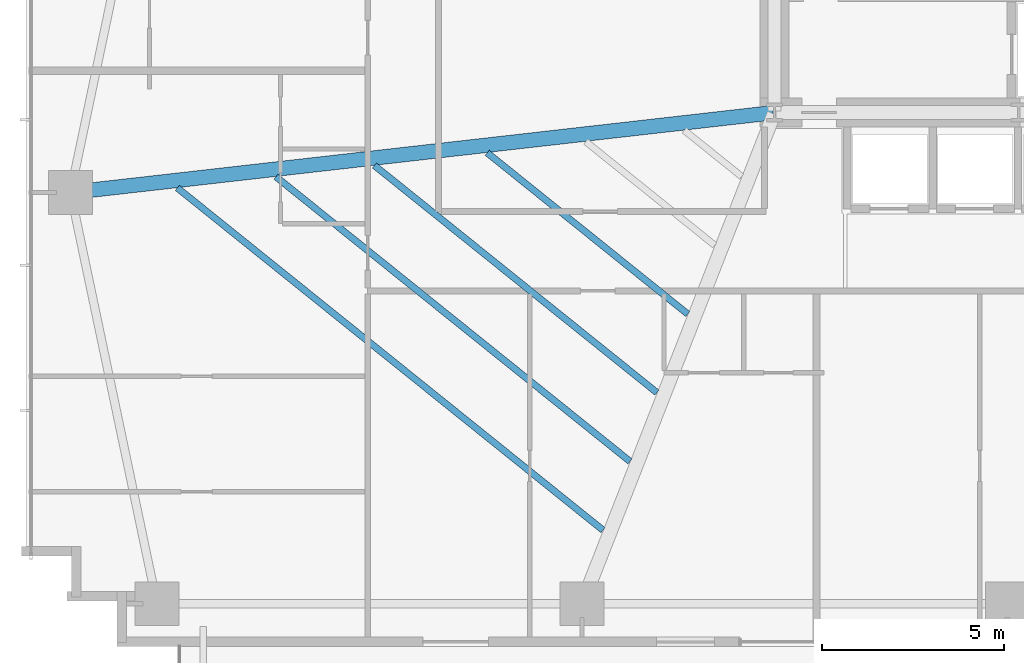
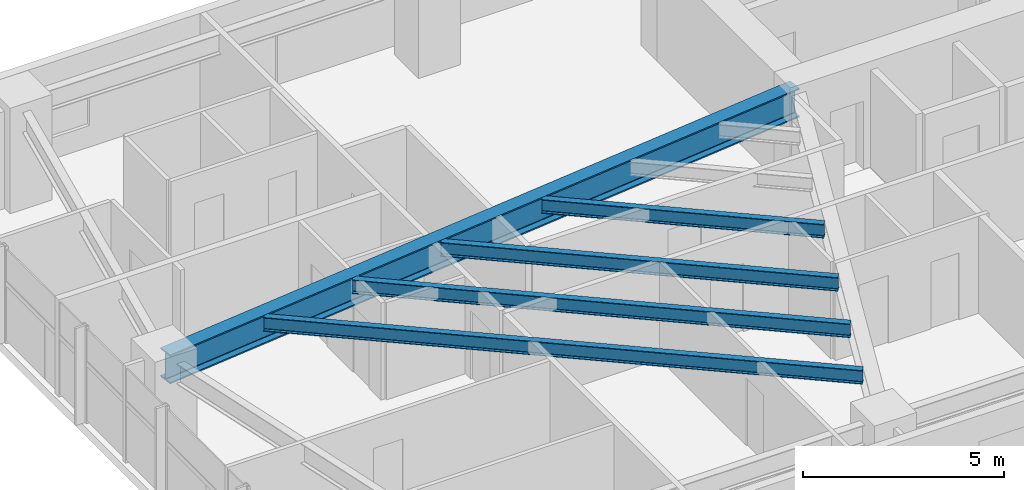
# One storey, part 5 of 25: 5 beams.
"""IFC4 building model written with IfcOpenShell, lengths in metres."""

import ifcopenshell
import ifcopenshell.guid

model = None  # the IFC model being written
_history = None  # IfcOwnerHistory: only IFC2X3 demands one
_inside = {}  # id of a spatial element -> (the spatial element, [elements in it])
_under = {}  # id of a project, library or spatial element -> (it, [spatial elements below it])
_declared = {}  # id of a project -> (the project, [libraries it declares])
_typed = {}  # id of a type object -> (the type object, [elements of that type])
_made_of = {}  # id of a material, layer set ... -> (it, [elements and type objects made of it])


def new_model(schema):
    """Start an empty IFC model of exactly this schema.

    Asked for "IFC4X3", IfcOpenShell would pick the latest addendum, in which some entities
    have other attributes; the version numbers below select the first issue.
    IFC2X3 requires an IfcOwnerHistory on every rooted entity: one is made here for all.
    """
    global model, _history
    if schema == "IFC4X3":
        model = ifcopenshell.file(schema_version=(4, 3, 0, 0))
    else:
        model = ifcopenshell.file(schema=schema)
    _inside.clear()
    _under.clear()
    _declared.clear()
    _typed.clear()
    _made_of.clear()
    _history = None
    if model.schema == "IFC2X3":
        org = make("IfcOrganization", Name="unknown")
        user = make(
            "IfcPersonAndOrganization",
            ThePerson=make("IfcPerson", FamilyName="unknown"),
            TheOrganization=org,
        )
        app = make(
            "IfcApplication",
            ApplicationDeveloper=org,
            Version="unknown",
            ApplicationFullName="unknown",
            ApplicationIdentifier="unknown",
        )
        _history = make(
            "IfcOwnerHistory",
            OwningUser=user,
            OwningApplication=app,
            ChangeAction="ADDED",
            CreationDate=0,
        )
    return model


def make(cls, **values):
    """One entity of the class cls with the attributes given. An attribute that is None is left unset."""
    return model.create_entity(
        cls, **{name: value for name, value in values.items() if value is not None}
    )


def rooted(cls, **values):
    """An entity with a GlobalId (a new one), such as an element, a storey or a relation."""
    return make(cls, GlobalId=ifcopenshell.guid.new(), OwnerHistory=_history, **values)


def si_unit(unit_type, name, prefix=None):
    """IfcSIUnit, for example si_unit("LENGTHUNIT", "METRE", prefix="MILLI")."""
    return make("IfcSIUnit", UnitType=unit_type, Prefix=prefix, Name=name)


def assignment(units):
    """IfcUnitAssignment: the units of a project."""
    return None if units is None else make("IfcUnitAssignment", Units=units)


def point(xyz):
    """IfcCartesianPoint."""
    return None if xyz is None else make("IfcCartesianPoint", Coordinates=xyz)


def direction(xyz):
    """IfcDirection."""
    return None if xyz is None else make("IfcDirection", DirectionRatios=xyz)


def frame(location, z_axis=None, x_axis=None):
    """IfcAxis2Placement3D, a coordinate frame: its origin and axes. An axis left out is left unset."""
    return make(
        "IfcAxis2Placement3D",
        Location=point(location),
        Axis=direction(z_axis),
        RefDirection=direction(x_axis),
    )


def frame_2d(location, x_axis=None):
    """IfcAxis2Placement2D, a coordinate frame in the plane: its origin and x axis."""
    return make(
        "IfcAxis2Placement2D", Location=point(location), RefDirection=direction(x_axis)
    )


def origin():
    """The frame at (0, 0, 0) with its axes left unset."""
    return frame((0.0, 0.0, 0.0))


def origin_2d():
    """The frame at (0, 0) in the plane with its x axis left unset."""
    return frame_2d((0.0, 0.0))


def place(relative_to, where):
    """IfcLocalPlacement: puts the frame where relative to a parent placement (None: the world)."""
    return make(
        "IfcLocalPlacement", PlacementRelTo=relative_to, RelativePlacement=where
    )


def context(
    kind, dimensions, precision=None, world=None, true_north=None, identifier=None
):
    """IfcGeometricRepresentationContext, for example the 3D "Model" context."""
    return make(
        "IfcGeometricRepresentationContext",
        ContextIdentifier=identifier,
        ContextType=kind,
        CoordinateSpaceDimension=dimensions,
        Precision=precision,
        WorldCoordinateSystem=world,
        TrueNorth=true_north,
    )


def subcontext(parent, identifier, kind, view, scale=None):
    """IfcGeometricRepresentationSubContext, for example "Body" below "Model"."""
    return make(
        "IfcGeometricRepresentationSubContext",
        ContextIdentifier=identifier,
        ContextType=kind,
        ParentContext=parent,
        TargetScale=scale,
        TargetView=view,
    )


def project(units=None, contexts=None):
    """IfcProject with its units and contexts."""
    return rooted(
        "IfcProject",
        Name="project",
        RepresentationContexts=contexts,
        UnitsInContext=assignment(units),
    )


def spatial(cls, under=None, at=None, **own):
    """A site, building, storey or space (cls), placed at a placement, below another one or the project."""
    s = rooted(cls, ObjectPlacement=at, **own)
    if under is not None:
        _under.setdefault(under.id(), (under, []))[1].append(s)
    return s


def profile(cls, at=None, kind="AREA", **sizes):
    """A parametric profile (cls). Its sizes go by their IFC names, for example OverallWidth=200.0."""
    return make(cls, ProfileType=kind, Position=at, **sizes)


def i_section(**sizes):
    """IfcIShapeProfileDef."""
    return profile("IfcIShapeProfileDef", **sizes)


def extrude(swept, where, along, depth):
    """IfcExtrudedAreaSolid: the profile swept, set in the frame where, extruded along a direction by depth."""
    return make(
        "IfcExtrudedAreaSolid",
        SweptArea=swept,
        Position=where,
        ExtrudedDirection=direction(along),
        Depth=depth,
    )


def shape(context_of_items, identifier, shape_type, items):
    """IfcShapeRepresentation: the items that make up one representation, for example the "Body"."""
    return make(
        "IfcShapeRepresentation",
        ContextOfItems=context_of_items,
        RepresentationIdentifier=identifier,
        RepresentationType=shape_type,
        Items=items,
    )


def source(mapping_origin, context_of_items, identifier, shape_type, items):
    """IfcRepresentationMap: a shape defined once, which mapped items show again and again."""
    return make(
        "IfcRepresentationMap",
        MappingOrigin=mapping_origin,
        MappedRepresentation=shape(context_of_items, identifier, shape_type, items),
    )


def transform(
    local_origin,
    x_axis=None,
    y_axis=None,
    z_axis=None,
    scale=None,
    scale2=None,
    scale3=None,
    uniform=True,
):
    """IfcCartesianTransformationOperator3D, or its non-uniform kind. x_axis, y_axis, z_axis: its Axis1, 2, 3."""
    if uniform:
        return make(
            "IfcCartesianTransformationOperator3D",
            Axis1=direction(x_axis),
            Axis2=direction(y_axis),
            LocalOrigin=point(local_origin),
            Scale=scale,
            Axis3=direction(z_axis),
        )
    return make(
        "IfcCartesianTransformationOperator3DnonUniform",
        Axis1=direction(x_axis),
        Axis2=direction(y_axis),
        LocalOrigin=point(local_origin),
        Scale=scale,
        Axis3=direction(z_axis),
        Scale2=scale2,
        Scale3=scale3,
    )


def mapped(mapping_source, mapping_target):
    """IfcMappedItem: shows the shape of a source again, moved by a transform."""
    return make(
        "IfcMappedItem", MappingSource=mapping_source, MappingTarget=mapping_target
    )


def material(Name=None, Category=None):
    """IfcMaterial."""
    return make("IfcMaterial", Name=Name, Category=Category)


def material_profile(
    of_material, cross_section, Name=None, Category=None, Priority=None
):
    """IfcMaterialProfile: a cross section and its material."""
    return make(
        "IfcMaterialProfile",
        Name=Name,
        Material=of_material,
        Profile=cross_section,
        Priority=Priority,
        Category=Category,
    )


def profile_set(profiles, Name=None, composite=None):
    """IfcMaterialProfileSet."""
    return make(
        "IfcMaterialProfileSet",
        Name=Name,
        MaterialProfiles=profiles,
        CompositeProfile=composite,
    )


def made_of(thing, what):
    """Note that an element or type object is made of a material, layer set ...; save() writes the relation."""
    if what is not None:
        _made_of.setdefault(what.id(), (what, []))[1].append(thing)
    return thing


def type_object(cls, material=None, **own):
    """A type object (cls), such as IfcWallType, which elements share."""
    return made_of(rooted(cls, **own), material)


def type_shapes(of_type, sources):
    """Give a type object the sources (RepresentationMaps) that its elements show as mapped items."""
    of_type.RepresentationMaps = sources


def element(
    cls,
    number,
    at=None,
    inside=None,
    cuts=None,
    type_object=None,
    material=None,
    context=None,
    identifier="Body",
    shape_type=None,
    held_by="IfcProductDefinitionShape",
    body=None,
    shapes=None,
    **own,
):
    """One element of the class cls, such as IfcWall. Its Tag is "e" and its number.

    at: its placement. inside: the storey or other place that contains it. cuts: it is an
    opening in that element (IfcRelVoidsElement). A single representation is given by context,
    identifier, shape_type and body (its items); several are given by shapes. held_by: the class
    of the entity that holds the representations. save() writes the other relations.
    """
    e = rooted(cls, Tag="e%d" % number, ObjectPlacement=at, **own)
    if body is not None:
        shapes = [shape(context, identifier, shape_type, body)]
    if shapes is not None:
        e.Representation = make(held_by, Representations=shapes)
    if inside is not None:
        _inside.setdefault(inside.id(), (inside, []))[1].append(e)
    if cuts is not None:
        rooted(
            "IfcRelVoidsElement", RelatingBuildingElement=cuts, RelatedOpeningElement=e
        )
    if type_object is not None:
        _typed.setdefault(type_object.id(), (type_object, []))[1].append(e)
    return made_of(e, material)


def aggregate(whole, parts):
    """IfcRelAggregates: a whole, such as a stair, and the parts it consists of."""
    return rooted("IfcRelAggregates", RelatingObject=whole, RelatedObjects=parts)


def save(model, path):
    """Write the relations noted so far, then the file.

    IfcRelAggregates (storeys below a building ...), IfcRelContainedInSpatialStructure (elements
    in a storey), IfcRelDefinesByType, IfcRelAssociatesMaterial and IfcRelDeclares: one each for
    every whole, place, type object, material and project.
    """
    for whole, parts in _under.values():
        aggregate(whole, parts)
    for where, things in _inside.values():
        rooted(
            "IfcRelContainedInSpatialStructure",
            RelatedElements=things,
            RelatingStructure=where,
        )
    for kind, things in _typed.values():
        rooted("IfcRelDefinesByType", RelatedObjects=things, RelatingType=kind)
    for what, things in _made_of.values():
        rooted("IfcRelAssociatesMaterial", RelatedObjects=things, RelatingMaterial=what)
    for by, libraries in _declared.values():
        rooted("IfcRelDeclares", RelatingContext=by, RelatedDefinitions=libraries)
    model.write(path)


model = new_model("IFC4")

# Units and contexts
model_context = context("Model", 3, precision=1e-05, world=origin(), true_north=direction((0.0, 1.0)))
body_context = subcontext(model_context, "Body", "Model", "MODEL_VIEW")
ifc_project = project(units=[si_unit("LENGTHUNIT", "METRE"), si_unit("AREAUNIT", "SQUARE_METRE"), si_unit("VOLUMEUNIT", "CUBIC_METRE"), si_unit("PLANEANGLEUNIT", "RADIAN"), si_unit("MASSUNIT", "GRAM", prefix="KILO")], contexts=[model_context])

# Site, building, storey
site_placement = place(None, origin())
site = spatial("IfcSite", under=ifc_project, at=site_placement, CompositionType="ELEMENT")
building_placement = place(site_placement, origin())
building = spatial("IfcBuilding", under=site, at=building_placement, Name="Astriad Promenade Condominiums", CompositionType="ELEMENT")
storey_placement = place(building_placement, frame((0.0, 0.0, 61.39990234375)))
storey = spatial("IfcBuildingStorey", under=building, at=storey_placement, Name="L17", CompositionType="ELEMENT", Elevation=61.39990234375)

# Beams
ifc_material = material(Name="Steel ASTM A992 Grade 50", Category="steel")
ifc_material_profile_1 = material_profile(ifc_material, i_section(OverallWidth=0.4013671875, OverallDepth=0.877197265625, WebThickness=0.022216796875, FlangeThickness=0.039794921875, FilletRadius=0.02294921875, at=origin_2d()), Name="W33X263")
ifc_profile_set_1 = profile_set([ifc_material_profile_1], Name="Steel ASTM A992 Grade 50")
beam_type_1 = type_object("IfcBeamType", Name="STEEL PRIMARY GIRDER W33X263", PredefinedType="BEAM", material=ifc_profile_set_1)
shared_shape_1 = source(origin(), body_context, "Body", "SweptSolid", [
    extrude(i_section(OverallWidth=0.4013671875, OverallDepth=0.877197265625, WebThickness=0.022216796875, FlangeThickness=0.039794921875, FilletRadius=0.02294921875, at=origin_2d()), origin(), (0.0, 0.0, 1.0), 19.424560546875),
])
type_shapes(beam_type_1, [shared_shape_1])
beam_1_placement = place(storey_placement, frame((7.059814453125, 15.20458984375, 2.501708984375), z_axis=(0.993618675315, 0.11279152479, 0.0), x_axis=(-0.11279152479, 0.993618675315, 0.0)))
element("IfcBeam", 1, at=beam_1_placement, inside=storey, type_object=beam_type_1, Name="Primary Floor Girder PG-WM-L17", PredefinedType="BEAM", context=body_context, shape_type="MappedRepresentation", body=[
    mapped(shared_shape_1, transform((0.0, 0.0, 0.0), scale=1.0)),
])
ifc_material_profile_2 = material_profile(ifc_material, i_section(OverallWidth=0.180908203125, OverallDepth=0.417236328125, WebThickness=0.010986328125, FlangeThickness=0.018310546875, FilletRadius=0.013916015625, at=origin_2d()), Name="W16X57")
ifc_profile_set_2 = profile_set([ifc_material_profile_2], Name="Steel ASTM A992 Grade 50")
beam_type_2 = type_object("IfcBeamType", Name="STEEL FLOOR JOIST W16X57", PredefinedType="JOIST", material=ifc_profile_set_2)
shared_shape_2 = source(origin(), body_context, "Body", "SweptSolid", [
    extrude(i_section(OverallWidth=0.180908203125, OverallDepth=0.417236328125, WebThickness=0.010986328125, FlangeThickness=0.018310546875, FilletRadius=0.013916015625, at=origin_2d()), origin(), (0.0, 0.0, 1.0), 15.033447265625),
])
beam_2_placement = place(storey_placement, frame((9.961181640625, 15.32470703125, 2.7314453125), z_axis=(0.779353434302, -0.626584570862, 0.0), x_axis=(0.626584570862, 0.779353434302, 0.0)))
element("IfcBeam", 2, at=beam_2_placement, inside=storey, type_object=beam_type_2, Name="Secondary Composite Floor Joist JW1-1-L17", PredefinedType="JOIST", context=body_context, shape_type="MappedRepresentation", body=[
    mapped(shared_shape_2, transform((0.0, 0.0, 0.0), scale=1.0)),
])
shared_shape_3 = source(origin(), body_context, "Body", "SweptSolid", [
    extrude(i_section(OverallWidth=0.180908203125, OverallDepth=0.417236328125, WebThickness=0.010986328125, FlangeThickness=0.018310546875, FilletRadius=0.013916015625, at=origin_2d()), origin(), (0.0, 0.0, 1.0), 12.50439453125),
])
beam_3_placement = place(storey_placement, frame((12.67431640625, 15.6328125, 2.7314453125), z_axis=(0.77935791062, -0.626579003122, 0.0), x_axis=(0.626579003122, 0.77935791062, 0.0)))
element("IfcBeam", 3, at=beam_3_placement, inside=storey, type_object=beam_type_2, Name="Secondary Composite Floor Joist JW1-2-L17", PredefinedType="JOIST", context=body_context, shape_type="MappedRepresentation", body=[
    mapped(shared_shape_3, transform((0.0, 0.0, 0.0), scale=1.0)),
])
shared_shape_4 = source(origin(), body_context, "Body", "SweptSolid", [
    extrude(i_section(OverallWidth=0.180908203125, OverallDepth=0.417236328125, WebThickness=0.010986328125, FlangeThickness=0.018310546875, FilletRadius=0.013916015625, at=origin_2d()), origin(), (0.0, 0.0, 1.0), 9.97509765625),
])
beam_4_placement = place(storey_placement, frame((15.387451171875, 15.94091796875, 2.7314453125), z_axis=(0.779355047887, -0.626582563859, 0.0), x_axis=(0.626582563859, 0.779355047887, 0.0)))
element("IfcBeam", 4, at=beam_4_placement, inside=storey, type_object=beam_type_2, Name="Secondary Composite Floor Joist JW1-3-L17", PredefinedType="JOIST", context=body_context, shape_type="MappedRepresentation", body=[
    mapped(shared_shape_4, transform((0.0, 0.0, 0.0), scale=1.0)),
])
shared_shape_5 = source(origin(), body_context, "Body", "SweptSolid", [
    extrude(i_section(OverallWidth=0.180908203125, OverallDepth=0.417236328125, WebThickness=0.010986328125, FlangeThickness=0.018310546875, FilletRadius=0.013916015625, at=origin_2d()), origin(), (0.0, 0.0, 1.0), 7.08447265625),
])
type_shapes(beam_type_2, [shared_shape_2, shared_shape_3, shared_shape_4, shared_shape_5])
beam_5_placement = place(storey_placement, frame((18.48828125, 16.292724609375, 2.7314453125), z_axis=(0.779353562297, -0.62658441166, 0.0), x_axis=(0.62658441166, 0.779353562297, 0.0)))
element("IfcBeam", 5, at=beam_5_placement, inside=storey, type_object=beam_type_2, Name="Secondary Composite Floor Joist JW1-4-L17", PredefinedType="JOIST", context=body_context, shape_type="MappedRepresentation", body=[
    mapped(shared_shape_5, transform((0.0, 0.0, 0.0), scale=1.0)),
])

save(model, "model.ifc")
